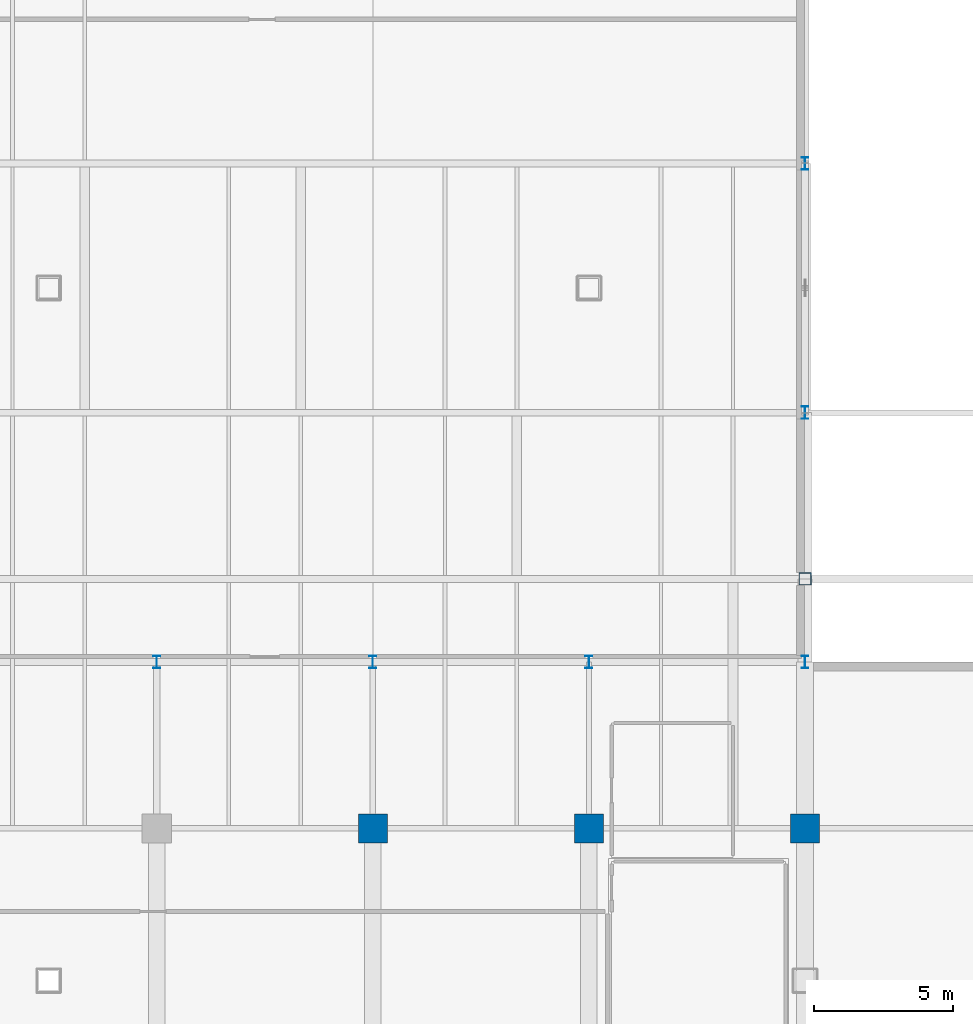
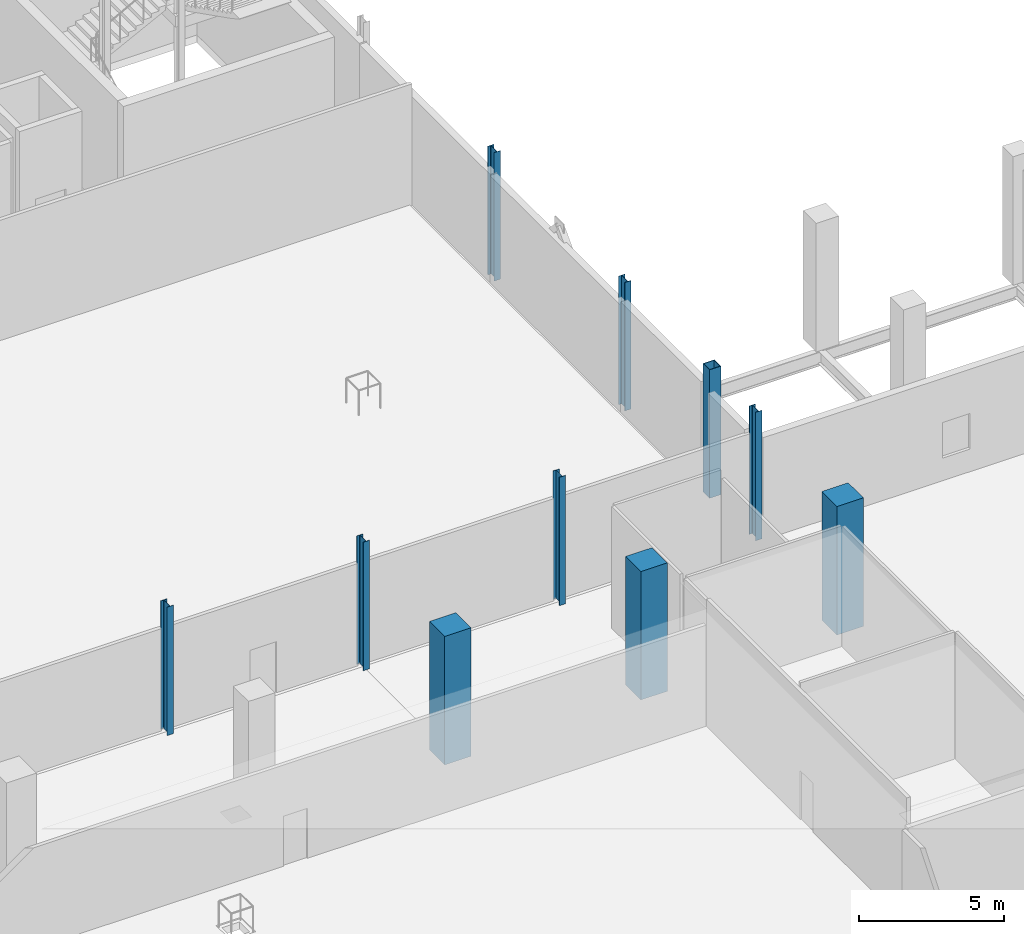
# One storey, part 7 of 57: 10 columns.
"""IFC4 building model written with IfcOpenShell, lengths in metres."""

from ifc_helpers import new_model, si_unit, derived_unit, direction, frame, origin, origin_2d, place, context, subcontext, project, spatial, rectangle, hollow_rectangle, i_section, extrude, material, material_profile, profile_set, type_object, element, save


model = new_model("IFC4")

# Units and contexts
model_context = context("Model", 3, precision=1e-05, world=origin(), true_north=direction((0.0, 1.0)))
body_context = subcontext(model_context, "Body", "Model", "MODEL_VIEW")
ifc_project = project(units=[si_unit("LENGTHUNIT", "METRE"), si_unit("AREAUNIT", "SQUARE_METRE"), si_unit("VOLUMEUNIT", "CUBIC_METRE"), si_unit("PLANEANGLEUNIT", "RADIAN"), si_unit("MASSUNIT", "GRAM", prefix="KILO"), derived_unit("THERMALTRANSMITTANCEUNIT", [(si_unit("POWERUNIT", "WATT"), 1), (si_unit("LENGTHUNIT", "METRE"), -2), (si_unit("THERMODYNAMICTEMPERATUREUNIT", "KELVIN"), -1)])], contexts=[model_context])

# Site, building, storey
site_placement = place(None, origin())
site = spatial("IfcSite", under=ifc_project, at=site_placement, CompositionType="ELEMENT")
building_placement = place(site_placement, origin())
building = spatial("IfcBuilding", under=site, at=building_placement, Name="Nallur Shell Playhouse", CompositionType="ELEMENT")
storey_placement = place(building_placement, origin())
storey = spatial("IfcBuildingStorey", under=building, at=storey_placement, Name="L01", CompositionType="ELEMENT", Elevation=0.0)

# Columns
ifc_material_1 = material(Name="Concrete M45", Category="concrete")
ifc_material_profile_1 = material_profile(ifc_material_1, rectangle(XDim=1.050048828125, YDim=1.050048828125, at=origin_2d()), Name="RC 1050x1050")
ifc_profile_set_1 = profile_set([ifc_material_profile_1], Name="Concrete M45")
column_type_1 = type_object("IfcColumnType", Name="CL-RC-1050", PredefinedType="COLUMN", material=ifc_profile_set_1)
for number, where, z_axis, x_axis, name in (
    (1, (87.39990234375, 41.0, 0.0), (0.0, 0.0, 1.0), (1.0, 0.0, 0.0), "Column MC3N (L01)"),
    (2, (95.199951171875, 41.0, 0.0), (0.0, 0.0, 1.0), (1.0, 0.0, 0.0), "Column MC4N (L01)"),
    (3, (103.0, 41.0, 0.0), (0.0, 0.0, 1.0), (1.0, 0.0, 0.0), "Column MC5N (L01)"),
):
    element("IfcColumn", number, at=place(storey_placement, frame(where, z_axis=z_axis, x_axis=x_axis)), inside=storey, type_object=column_type_1, Name=name, PredefinedType="COLUMN", context=body_context, shape_type="SweptSolid", body=[
        extrude(rectangle(XDim=1.050048828125, YDim=1.050048828125, at=origin_2d()), origin(), (0.0, 0.0, 1.0), 5.39990234375),
    ])
ifc_material_2 = material(Name="Steel E350", Category="steel")
ifc_material_profile_2 = material_profile(ifc_material_2, hollow_rectangle(XDim=0.449951171875, YDim=0.449951171875, WallThickness=0.02001953125, at=origin_2d()), Name="BOX 450x450x20")
ifc_profile_set_2 = profile_set([ifc_material_profile_2], Name="Steel E350")
column_type_2 = type_object("IfcColumnType", Name="CL-ST-BOX450", PredefinedType="COLUMN", material=ifc_profile_set_2)
column_placement = place(storey_placement, frame((103.0, 50.0, 0.0), z_axis=(0.0, 0.0, 1.0), x_axis=(1.0, 0.0, 0.0)))
element("IfcColumn", 4, at=column_placement, inside=storey, type_object=column_type_2, Name="Column 13-F (L01)", PredefinedType="COLUMN", context=body_context, shape_type="SweptSolid", body=[
    extrude(hollow_rectangle(XDim=0.449951171875, YDim=0.449951171875, WallThickness=0.02001953125, at=origin_2d()), origin(), (0.0, 0.0, 1.0), 5.39990234375),
])
ifc_material_profile_3 = material_profile(ifc_material_2, i_section(OverallWidth=0.25, OverallDepth=0.449951171875, WebThickness=0.01123046875, FlangeThickness=0.013671875, FilletRadius=0.014892578125, at=origin_2d()), Name="ISHB 450")
ifc_profile_set_3 = profile_set([ifc_material_profile_3], Name="Steel E350")
column_type_3 = type_object("IfcColumnType", Name="CL-ST-ISHB450", PredefinedType="COLUMN", material=ifc_profile_set_3)
for number, where, z_axis, x_axis, name in (
    (5, (103.0, 56.0, 0.0), (0.0, 0.0, 1.0), (1.0, 0.0, 0.0), "Column 13-G (L01)"),
    (6, (103.0, 65.0, 0.0), (0.0, 0.0, 1.0), (1.0, 0.0, 0.0), "Column 13-H (L01)"),
    (7, (79.60009765625, 47.0, 0.0), (0.0, 0.0, 1.0), (1.0, 0.0, 0.0), "Column PROSC-3 (L01)"),
    (8, (87.39990234375, 47.0, 0.0), (0.0, 0.0, 1.0), (1.0, 0.0, 0.0), "Column PROSC-4 (L01)"),
    (9, (95.199951171875, 47.0, 0.0), (0.0, 0.0, 1.0), (1.0, 0.0, 0.0), "Column PROSC-5 (L01)"),
    (10, (103.0, 47.0, 0.0), (0.0, 0.0, 1.0), (1.0, 0.0, 0.0), "Column PROSC-6 (L01)"),
):
    element("IfcColumn", number, at=place(storey_placement, frame(where, z_axis=z_axis, x_axis=x_axis)), inside=storey, type_object=column_type_3, Name=name, PredefinedType="COLUMN", context=body_context, shape_type="SweptSolid", body=[
        extrude(i_section(OverallWidth=0.25, OverallDepth=0.449951171875, WebThickness=0.01123046875, FlangeThickness=0.013671875, FilletRadius=0.014892578125, at=origin_2d()), origin(), (0.0, 0.0, 1.0), 5.39990234375),
    ])

save(model, "model.ifc")
